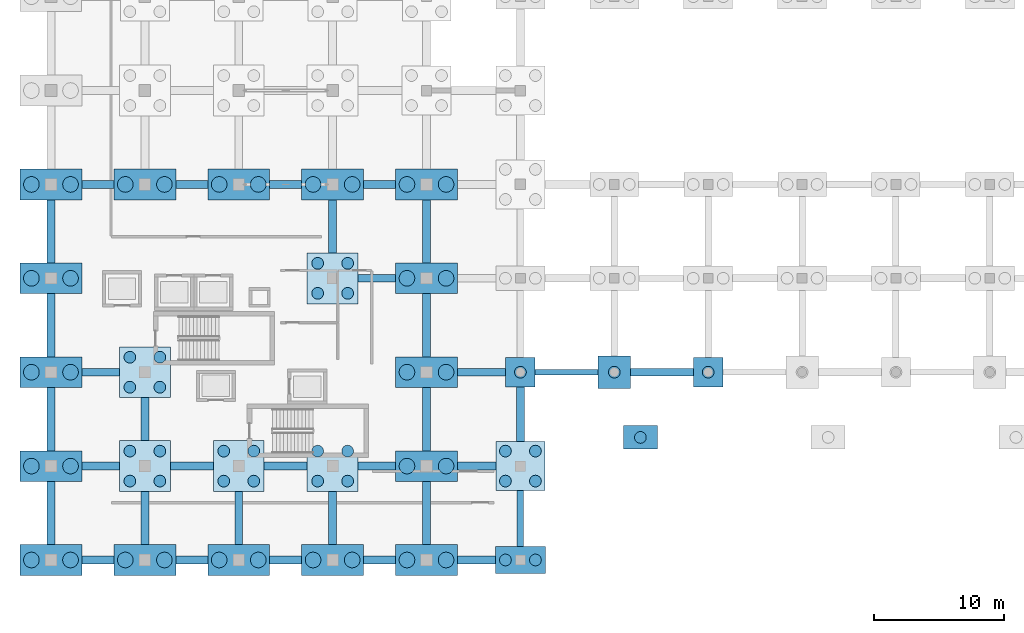
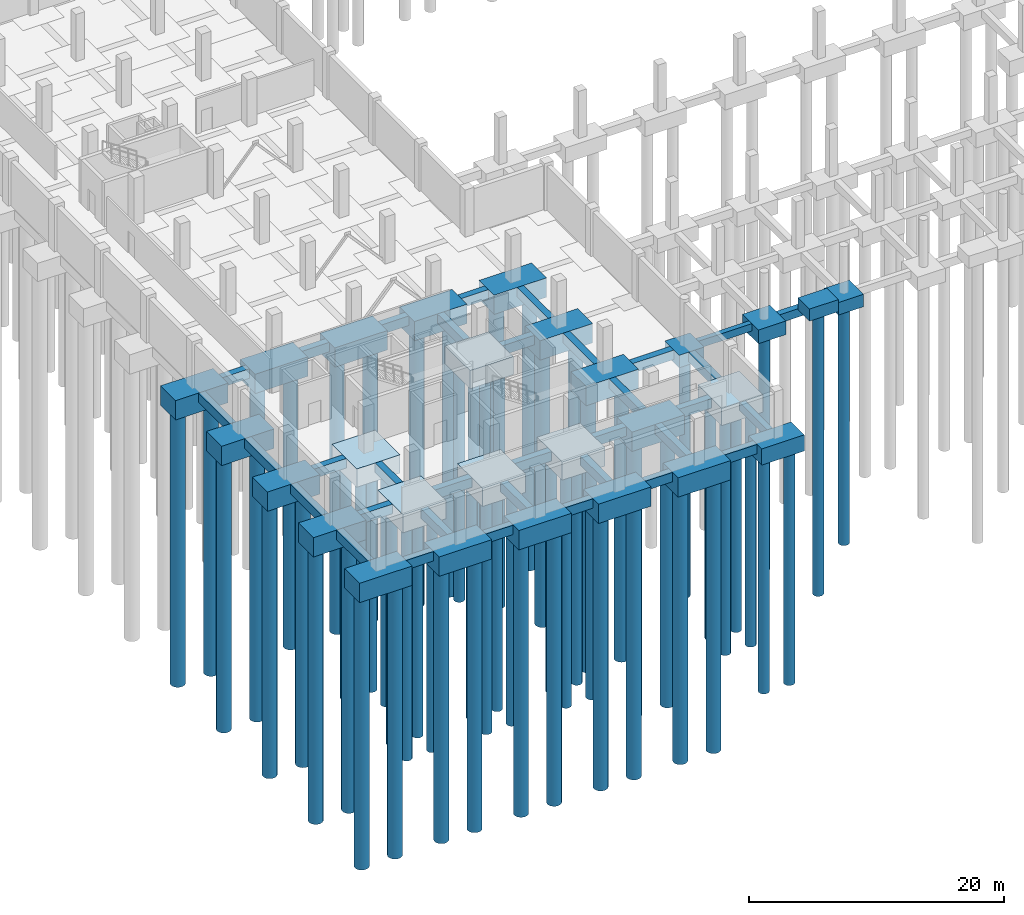
# One storey, part 1 of 36: 62 piles, 61 footings.
"""IFC4 building model written with IfcOpenShell, lengths in metres."""

import ifcopenshell
import ifcopenshell.guid

model = None  # the IFC model being written
_history = None  # IfcOwnerHistory: only IFC2X3 demands one
_inside = {}  # id of a spatial element -> (the spatial element, [elements in it])
_under = {}  # id of a project, library or spatial element -> (it, [spatial elements below it])
_declared = {}  # id of a project -> (the project, [libraries it declares])
_typed = {}  # id of a type object -> (the type object, [elements of that type])
_made_of = {}  # id of a material, layer set ... -> (it, [elements and type objects made of it])


def new_model(schema):
    """Start an empty IFC model of exactly this schema.

    Asked for "IFC4X3", IfcOpenShell would pick the latest addendum, in which some entities
    have other attributes; the version numbers below select the first issue.
    IFC2X3 requires an IfcOwnerHistory on every rooted entity: one is made here for all.
    """
    global model, _history
    if schema == "IFC4X3":
        model = ifcopenshell.file(schema_version=(4, 3, 0, 0))
    else:
        model = ifcopenshell.file(schema=schema)
    _inside.clear()
    _under.clear()
    _declared.clear()
    _typed.clear()
    _made_of.clear()
    _history = None
    if model.schema == "IFC2X3":
        org = make("IfcOrganization", Name="unknown")
        user = make(
            "IfcPersonAndOrganization",
            ThePerson=make("IfcPerson", FamilyName="unknown"),
            TheOrganization=org,
        )
        app = make(
            "IfcApplication",
            ApplicationDeveloper=org,
            Version="unknown",
            ApplicationFullName="unknown",
            ApplicationIdentifier="unknown",
        )
        _history = make(
            "IfcOwnerHistory",
            OwningUser=user,
            OwningApplication=app,
            ChangeAction="ADDED",
            CreationDate=0,
        )
    return model


def make(cls, **values):
    """One entity of the class cls with the attributes given. An attribute that is None is left unset."""
    return model.create_entity(
        cls, **{name: value for name, value in values.items() if value is not None}
    )


def rooted(cls, **values):
    """An entity with a GlobalId (a new one), such as an element, a storey or a relation."""
    return make(cls, GlobalId=ifcopenshell.guid.new(), OwnerHistory=_history, **values)


def si_unit(unit_type, name, prefix=None):
    """IfcSIUnit, for example si_unit("LENGTHUNIT", "METRE", prefix="MILLI")."""
    return make("IfcSIUnit", UnitType=unit_type, Prefix=prefix, Name=name)


def assignment(units):
    """IfcUnitAssignment: the units of a project."""
    return None if units is None else make("IfcUnitAssignment", Units=units)


def point(xyz):
    """IfcCartesianPoint."""
    return None if xyz is None else make("IfcCartesianPoint", Coordinates=xyz)


def direction(xyz):
    """IfcDirection."""
    return None if xyz is None else make("IfcDirection", DirectionRatios=xyz)


def frame(location, z_axis=None, x_axis=None):
    """IfcAxis2Placement3D, a coordinate frame: its origin and axes. An axis left out is left unset."""
    return make(
        "IfcAxis2Placement3D",
        Location=point(location),
        Axis=direction(z_axis),
        RefDirection=direction(x_axis),
    )


def frame_2d(location, x_axis=None):
    """IfcAxis2Placement2D, a coordinate frame in the plane: its origin and x axis."""
    return make(
        "IfcAxis2Placement2D", Location=point(location), RefDirection=direction(x_axis)
    )


def origin():
    """The frame at (0, 0, 0) with its axes left unset."""
    return frame((0.0, 0.0, 0.0))


def origin_2d():
    """The frame at (0, 0) in the plane with its x axis left unset."""
    return frame_2d((0.0, 0.0))


def place(relative_to, where):
    """IfcLocalPlacement: puts the frame where relative to a parent placement (None: the world)."""
    return make(
        "IfcLocalPlacement", PlacementRelTo=relative_to, RelativePlacement=where
    )


def context(
    kind, dimensions, precision=None, world=None, true_north=None, identifier=None
):
    """IfcGeometricRepresentationContext, for example the 3D "Model" context."""
    return make(
        "IfcGeometricRepresentationContext",
        ContextIdentifier=identifier,
        ContextType=kind,
        CoordinateSpaceDimension=dimensions,
        Precision=precision,
        WorldCoordinateSystem=world,
        TrueNorth=true_north,
    )


def subcontext(parent, identifier, kind, view, scale=None):
    """IfcGeometricRepresentationSubContext, for example "Body" below "Model"."""
    return make(
        "IfcGeometricRepresentationSubContext",
        ContextIdentifier=identifier,
        ContextType=kind,
        ParentContext=parent,
        TargetScale=scale,
        TargetView=view,
    )


def project(units=None, contexts=None):
    """IfcProject with its units and contexts."""
    return rooted(
        "IfcProject",
        Name="project",
        RepresentationContexts=contexts,
        UnitsInContext=assignment(units),
    )


def spatial(cls, under=None, at=None, **own):
    """A site, building, storey or space (cls), placed at a placement, below another one or the project."""
    s = rooted(cls, ObjectPlacement=at, **own)
    if under is not None:
        _under.setdefault(under.id(), (under, []))[1].append(s)
    return s


def profile(cls, at=None, kind="AREA", **sizes):
    """A parametric profile (cls). Its sizes go by their IFC names, for example OverallWidth=200.0."""
    return make(cls, ProfileType=kind, Position=at, **sizes)


def rectangle(**sizes):
    """IfcRectangleProfileDef."""
    return profile("IfcRectangleProfileDef", **sizes)


def circle(**sizes):
    """IfcCircleProfileDef."""
    return profile("IfcCircleProfileDef", **sizes)


def extrude(swept, where, along, depth):
    """IfcExtrudedAreaSolid: the profile swept, set in the frame where, extruded along a direction by depth."""
    return make(
        "IfcExtrudedAreaSolid",
        SweptArea=swept,
        Position=where,
        ExtrudedDirection=direction(along),
        Depth=depth,
    )


def shape(context_of_items, identifier, shape_type, items):
    """IfcShapeRepresentation: the items that make up one representation, for example the "Body"."""
    return make(
        "IfcShapeRepresentation",
        ContextOfItems=context_of_items,
        RepresentationIdentifier=identifier,
        RepresentationType=shape_type,
        Items=items,
    )


def material(Name=None, Category=None):
    """IfcMaterial."""
    return make("IfcMaterial", Name=Name, Category=Category)


def material_profile(
    of_material, cross_section, Name=None, Category=None, Priority=None
):
    """IfcMaterialProfile: a cross section and its material."""
    return make(
        "IfcMaterialProfile",
        Name=Name,
        Material=of_material,
        Profile=cross_section,
        Priority=Priority,
        Category=Category,
    )


def profile_set(profiles, Name=None, composite=None):
    """IfcMaterialProfileSet."""
    return make(
        "IfcMaterialProfileSet",
        Name=Name,
        MaterialProfiles=profiles,
        CompositeProfile=composite,
    )


def made_of(thing, what):
    """Note that an element or type object is made of a material, layer set ...; save() writes the relation."""
    if what is not None:
        _made_of.setdefault(what.id(), (what, []))[1].append(thing)
    return thing


def type_object(cls, material=None, **own):
    """A type object (cls), such as IfcWallType, which elements share."""
    return made_of(rooted(cls, **own), material)


def element(
    cls,
    number,
    at=None,
    inside=None,
    cuts=None,
    type_object=None,
    material=None,
    context=None,
    identifier="Body",
    shape_type=None,
    held_by="IfcProductDefinitionShape",
    body=None,
    shapes=None,
    **own,
):
    """One element of the class cls, such as IfcWall. Its Tag is "e" and its number.

    at: its placement. inside: the storey or other place that contains it. cuts: it is an
    opening in that element (IfcRelVoidsElement). A single representation is given by context,
    identifier, shape_type and body (its items); several are given by shapes. held_by: the class
    of the entity that holds the representations. save() writes the other relations.
    """
    e = rooted(cls, Tag="e%d" % number, ObjectPlacement=at, **own)
    if body is not None:
        shapes = [shape(context, identifier, shape_type, body)]
    if shapes is not None:
        e.Representation = make(held_by, Representations=shapes)
    if inside is not None:
        _inside.setdefault(inside.id(), (inside, []))[1].append(e)
    if cuts is not None:
        rooted(
            "IfcRelVoidsElement", RelatingBuildingElement=cuts, RelatedOpeningElement=e
        )
    if type_object is not None:
        _typed.setdefault(type_object.id(), (type_object, []))[1].append(e)
    return made_of(e, material)


def aggregate(whole, parts):
    """IfcRelAggregates: a whole, such as a stair, and the parts it consists of."""
    return rooted("IfcRelAggregates", RelatingObject=whole, RelatedObjects=parts)


def save(model, path):
    """Write the relations noted so far, then the file.

    IfcRelAggregates (storeys below a building ...), IfcRelContainedInSpatialStructure (elements
    in a storey), IfcRelDefinesByType, IfcRelAssociatesMaterial and IfcRelDeclares: one each for
    every whole, place, type object, material and project.
    """
    for whole, parts in _under.values():
        aggregate(whole, parts)
    for where, things in _inside.values():
        rooted(
            "IfcRelContainedInSpatialStructure",
            RelatedElements=things,
            RelatingStructure=where,
        )
    for kind, things in _typed.values():
        rooted("IfcRelDefinesByType", RelatedObjects=things, RelatingType=kind)
    for what, things in _made_of.values():
        rooted("IfcRelAssociatesMaterial", RelatedObjects=things, RelatingMaterial=what)
    for by, libraries in _declared.values():
        rooted("IfcRelDeclares", RelatingContext=by, RelatedDefinitions=libraries)
    model.write(path)


model = new_model("IFC4")

# Units and contexts
model_context = context("Model", 3, precision=1e-05, world=origin(), true_north=direction((0.0, 1.0)))
body_context = subcontext(model_context, "Body", "Model", "MODEL_VIEW")
ifc_project = project(units=[si_unit("LENGTHUNIT", "METRE"), si_unit("AREAUNIT", "SQUARE_METRE"), si_unit("VOLUMEUNIT", "CUBIC_METRE"), si_unit("PLANEANGLEUNIT", "RADIAN"), si_unit("MASSUNIT", "GRAM", prefix="KILO")], contexts=[model_context])

# Site, building, storey
site_placement = place(None, origin())
site = spatial("IfcSite", under=ifc_project, at=site_placement, CompositionType="ELEMENT")
building_placement = place(site_placement, origin())
building = spatial("IfcBuilding", under=site, at=building_placement, Name="Kalmorath City Hall", CompositionType="ELEMENT")
storey_placement = place(building_placement, frame((0.0, 0.0, -4.5)))
storey = spatial("IfcBuildingStorey", under=building, at=storey_placement, Name="B1", CompositionType="ELEMENT", Elevation=-4.5)

# Piles
ifc_material_1 = material(Name="Concrete C40/50", Category="concrete")
ifc_material_profile_1 = material_profile(ifc_material_1, circle(Radius=0.60009765625, at=origin_2d()), Name="PILE-D1200")
ifc_profile_set_1 = profile_set([ifc_material_profile_1], Name="Concrete C40/50")
pile_type_1 = type_object("IfcPileType", Name="Bored concrete pile D1200", PredefinedType="BORED", material=ifc_profile_set_1)
for number, where, z_axis, x_axis, name in (
    (1, (-1.5, 0.0, -1.75), (0.0, 0.0, -1.0), (1.0, 0.0, 0.0), "Bored pile PL-1200 1.1.1"),
    (2, (1.5, 0.0, -1.75), (0.0, 0.0, -1.0), (1.0, 0.0, 0.0), "Bored pile PL-1200 1.1.2"),
    (3, (-1.5, 7.199951171875, -1.75), (0.0, 0.0, -1.0), (1.0, 0.0, 0.0), "Bored pile PL-1200 1.2.1"),
    (4, (1.5, 7.199951171875, -1.75), (0.0, 0.0, -1.0), (1.0, 0.0, 0.0), "Bored pile PL-1200 1.2.2"),
    (5, (-1.5, 14.39990234375, -1.75), (0.0, 0.0, -1.0), (1.0, 0.0, 0.0), "Bored pile PL-1200 1.3.1"),
    (6, (1.5, 14.39990234375, -1.75), (0.0, 0.0, -1.0), (1.0, 0.0, 0.0), "Bored pile PL-1200 1.3.2"),
    (7, (-1.5, 21.60009765625, -1.75), (0.0, 0.0, -1.0), (1.0, 0.0, 0.0), "Bored pile PL-1200 1.4.1"),
    (8, (1.5, 21.60009765625, -1.75), (0.0, 0.0, -1.0), (1.0, 0.0, 0.0), "Bored pile PL-1200 1.4.2"),
    (9, (-1.5, 28.800048828125, -1.75), (0.0, 0.0, -1.0), (1.0, 0.0, 0.0), "Bored pile PL-1200 1.5.1"),
    (10, (1.5, 28.800048828125, -1.75), (0.0, 0.0, -1.0), (1.0, 0.0, 0.0), "Bored pile PL-1200 1.5.2"),
    (11, (5.699951171875, 0.0, -1.75), (0.0, 0.0, -1.0), (1.0, 0.0, 0.0), "Bored pile PL-1200 2.1.1"),
    (12, (8.699951171875, 0.0, -1.75), (0.0, 0.0, -1.0), (1.0, 0.0, 0.0), "Bored pile PL-1200 2.1.2"),
    (13, (5.699951171875, 28.800048828125, -1.75), (0.0, 0.0, -1.0), (1.0, 0.0, 0.0), "Bored pile PL-1200 2.5.1"),
    (14, (8.699951171875, 28.800048828125, -1.75), (0.0, 0.0, -1.0), (1.0, 0.0, 0.0), "Bored pile PL-1200 2.5.2"),
    (15, (12.89990234375, 0.0, -1.75), (0.0, 0.0, -1.0), (1.0, 0.0, 0.0), "Bored pile PL-1200 3.1.1"),
    (16, (15.89990234375, 0.0, -1.75), (0.0, 0.0, -1.0), (1.0, 0.0, 0.0), "Bored pile PL-1200 3.1.2"),
    (17, (12.89990234375, 28.800048828125, -1.75), (0.0, 0.0, -1.0), (1.0, 0.0, 0.0), "Bored pile PL-1200 3.5.1"),
    (18, (15.89990234375, 28.800048828125, -1.75), (0.0, 0.0, -1.0), (1.0, 0.0, 0.0), "Bored pile PL-1200 3.5.2"),
    (19, (20.10009765625, 0.0, -1.75), (0.0, 0.0, -1.0), (1.0, 0.0, 0.0), "Bored pile PL-1200 4.1.1"),
    (20, (23.10009765625, 0.0, -1.75), (0.0, 0.0, -1.0), (1.0, 0.0, 0.0), "Bored pile PL-1200 4.1.2"),
    (21, (20.10009765625, 28.800048828125, -1.75), (0.0, 0.0, -1.0), (1.0, 0.0, 0.0), "Bored pile PL-1200 4.5.1"),
    (22, (23.10009765625, 28.800048828125, -1.75), (0.0, 0.0, -1.0), (1.0, 0.0, 0.0), "Bored pile PL-1200 4.5.2"),
    (23, (27.300048828125, 0.0, -1.75), (0.0, 0.0, -1.0), (1.0, 0.0, 0.0), "Bored pile PL-1200 5.1.1"),
    (24, (30.300048828125, 0.0, -1.75), (0.0, 0.0, -1.0), (1.0, 0.0, 0.0), "Bored pile PL-1200 5.1.2"),
    (25, (27.300048828125, 7.199951171875, -1.75), (0.0, 0.0, -1.0), (1.0, 0.0, 0.0), "Bored pile PL-1200 5.2.1"),
    (26, (30.300048828125, 7.199951171875, -1.75), (0.0, 0.0, -1.0), (1.0, 0.0, 0.0), "Bored pile PL-1200 5.2.2"),
    (27, (27.300048828125, 14.39990234375, -1.75), (0.0, 0.0, -1.0), (1.0, 0.0, 0.0), "Bored pile PL-1200 5.3.1"),
    (28, (30.300048828125, 14.39990234375, -1.75), (0.0, 0.0, -1.0), (1.0, 0.0, 0.0), "Bored pile PL-1200 5.3.2"),
    (29, (27.300048828125, 21.60009765625, -1.75), (0.0, 0.0, -1.0), (1.0, 0.0, 0.0), "Bored pile PL-1200 5.4.1"),
    (30, (30.300048828125, 21.60009765625, -1.75), (0.0, 0.0, -1.0), (1.0, 0.0, 0.0), "Bored pile PL-1200 5.4.2"),
    (31, (27.300048828125, 28.800048828125, -1.75), (0.0, 0.0, -1.0), (1.0, 0.0, 0.0), "Bored pile PL-1200 5.5.1"),
    (32, (30.300048828125, 28.800048828125, -1.75), (0.0, 0.0, -1.0), (1.0, 0.0, 0.0), "Bored pile PL-1200 5.5.2"),
):
    element("IfcPile", number, at=place(storey_placement, frame(where, z_axis=z_axis, x_axis=x_axis)), inside=storey, type_object=pile_type_1, Name=name, PredefinedType="BORED", context=body_context, shape_type="SweptSolid", body=[
        extrude(circle(Radius=0.60009765625, at=origin_2d()), origin(), (0.0, 0.0, 1.0), 26.25),
    ])
ifc_material_2 = material(Name="Concrete C40/50", Category="concrete")
ifc_material_profile_2 = material_profile(ifc_material_2, circle(Radius=0.449951171875, at=origin_2d()), Name="PILE-D900")
ifc_profile_set_2 = profile_set([ifc_material_profile_2], Name="Concrete C40/50")
pile_type_2 = type_object("IfcPileType", Name="Bored concrete pile D900", PredefinedType="BORED", material=ifc_profile_set_2)
for number, where, z_axis, x_axis, name in (
    (33, (6.050048828125, 6.050048828125, -1.64990234375), (0.0, 0.0, -1.0), (1.0, 0.0, 0.0), "Bored pile PL-900 2.2.1"),
    (34, (8.35009765625, 6.050048828125, -1.64990234375), (0.0, 0.0, -1.0), (1.0, 0.0, 0.0), "Bored pile PL-900 2.2.2"),
    (35, (6.050048828125, 8.35009765625, -1.64990234375), (0.0, 0.0, -1.0), (1.0, 0.0, 0.0), "Bored pile PL-900 2.2.3"),
    (36, (8.35009765625, 8.35009765625, -1.64990234375), (0.0, 0.0, -1.0), (1.0, 0.0, 0.0), "Bored pile PL-900 2.2.4"),
    (37, (6.050048828125, 13.25, -1.64990234375), (0.0, 0.0, -1.0), (1.0, 0.0, 0.0), "Bored pile PL-900 2.3.1"),
    (38, (8.35009765625, 13.25, -1.64990234375), (0.0, 0.0, -1.0), (1.0, 0.0, 0.0), "Bored pile PL-900 2.3.2"),
    (39, (6.050048828125, 15.550048828125, -1.64990234375), (0.0, 0.0, -1.0), (1.0, 0.0, 0.0), "Bored pile PL-900 2.3.3"),
    (40, (8.35009765625, 15.550048828125, -1.64990234375), (0.0, 0.0, -1.0), (1.0, 0.0, 0.0), "Bored pile PL-900 2.3.4"),
    (41, (13.25, 6.050048828125, -1.64990234375), (0.0, 0.0, -1.0), (1.0, 0.0, 0.0), "Bored pile PL-900 3.2.1"),
    (42, (15.550048828125, 6.050048828125, -1.64990234375), (0.0, 0.0, -1.0), (1.0, 0.0, 0.0), "Bored pile PL-900 3.2.2"),
    (43, (13.25, 8.35009765625, -1.64990234375), (0.0, 0.0, -1.0), (1.0, 0.0, 0.0), "Bored pile PL-900 3.2.3"),
    (44, (15.550048828125, 8.35009765625, -1.64990234375), (0.0, 0.0, -1.0), (1.0, 0.0, 0.0), "Bored pile PL-900 3.2.4"),
    (45, (20.449951171875, 6.050048828125, -1.64990234375), (0.0, 0.0, -1.0), (1.0, 0.0, 0.0), "Bored pile PL-900 4.2.1"),
    (46, (22.75, 6.050048828125, -1.64990234375), (0.0, 0.0, -1.0), (1.0, 0.0, 0.0), "Bored pile PL-900 4.2.2"),
    (47, (20.449951171875, 8.35009765625, -1.64990234375), (0.0, 0.0, -1.0), (1.0, 0.0, 0.0), "Bored pile PL-900 4.2.3"),
    (48, (22.75, 8.35009765625, -1.64990234375), (0.0, 0.0, -1.0), (1.0, 0.0, 0.0), "Bored pile PL-900 4.2.4"),
    (49, (20.449951171875, 20.449951171875, -1.64990234375), (0.0, 0.0, -1.0), (1.0, 0.0, 0.0), "Bored pile PL-900 4.4.1"),
    (50, (22.75, 20.449951171875, -1.64990234375), (0.0, 0.0, -1.0), (1.0, 0.0, 0.0), "Bored pile PL-900 4.4.2"),
    (51, (20.449951171875, 22.75, -1.64990234375), (0.0, 0.0, -1.0), (1.0, 0.0, 0.0), "Bored pile PL-900 4.4.3"),
    (52, (22.75, 22.75, -1.64990234375), (0.0, 0.0, -1.0), (1.0, 0.0, 0.0), "Bored pile PL-900 4.4.4"),
):
    element("IfcPile", number, at=place(storey_placement, frame(where, z_axis=z_axis, x_axis=x_axis)), inside=storey, type_object=pile_type_2, Name=name, PredefinedType="BORED", context=body_context, shape_type="SweptSolid", body=[
        extrude(circle(Radius=0.449951171875, at=origin_2d()), origin(), (0.0, 0.0, 1.0), 22.35009765625),
    ])
for number, where, z_axis, x_axis, name in (
    (53, (34.85009765625, 0.0, -1.449951171875), (0.0, 0.0, -1.0), (1.0, 0.0, 0.0), "Bored pile PL-900 6.1.1"),
    (54, (37.14990234375, 0.0, -1.449951171875), (0.0, 0.0, -1.0), (1.0, 0.0, 0.0), "Bored pile PL-900 6.1.2"),
):
    element("IfcPile", number, at=place(storey_placement, frame(where, z_axis=z_axis, x_axis=x_axis)), inside=storey, type_object=pile_type_2, Name=name, PredefinedType="BORED", context=body_context, shape_type="SweptSolid", body=[
        extrude(circle(Radius=0.449951171875, at=origin_2d()), origin(), (0.0, 0.0, 1.0), 22.550048828125),
    ])
for number, where, z_axis, x_axis, name in (
    (55, (34.85009765625, 6.050048828125, -1.550048828125), (0.0, 0.0, -1.0), (1.0, 0.0, 0.0), "Bored pile PL-900 6.2.1"),
    (56, (37.14990234375, 6.050048828125, -1.550048828125), (0.0, 0.0, -1.0), (1.0, 0.0, 0.0), "Bored pile PL-900 6.2.2"),
    (57, (34.85009765625, 8.35009765625, -1.550048828125), (0.0, 0.0, -1.0), (1.0, 0.0, 0.0), "Bored pile PL-900 6.2.3"),
    (58, (37.14990234375, 8.35009765625, -1.550048828125), (0.0, 0.0, -1.0), (1.0, 0.0, 0.0), "Bored pile PL-900 6.2.4"),
):
    element("IfcPile", number, at=place(storey_placement, frame(where, z_axis=z_axis, x_axis=x_axis)), inside=storey, type_object=pile_type_2, Name=name, PredefinedType="BORED", context=body_context, shape_type="SweptSolid", body=[
        extrude(circle(Radius=0.449951171875, at=origin_2d()), origin(), (0.0, 0.0, 1.0), 22.449951171875),
    ])
pile_1_placement = place(storey_placement, frame((36.0, 14.39990234375, -1.10009765625), z_axis=(0.0, 0.0, -1.0), x_axis=(1.0, 0.0, 0.0)))
element("IfcPile", 59, at=pile_1_placement, inside=storey, type_object=pile_type_2, Name="Bored pile PL-900 6.3.1", PredefinedType="BORED", context=body_context, shape_type="SweptSolid", body=[
    extrude(circle(Radius=0.449951171875, at=origin_2d()), origin(), (0.0, 0.0, 1.0), 22.89990234375),
])
pile_2_placement = place(storey_placement, frame((43.199951171875, 14.39990234375, -1.199951171875), z_axis=(0.0, 0.0, -1.0), x_axis=(1.0, 0.0, 0.0)))
element("IfcPile", 60, at=pile_2_placement, inside=storey, type_object=pile_type_2, Name="Bored pile PL-900 7.3.1", PredefinedType="BORED", context=body_context, shape_type="SweptSolid", body=[
    extrude(circle(Radius=0.449951171875, at=origin_2d()), origin(), (0.0, 0.0, 1.0), 22.800048828125),
])
pile_3_placement = place(storey_placement, frame((50.39990234375, 14.39990234375, -1.10009765625), z_axis=(0.0, 0.0, -1.0), x_axis=(1.0, 0.0, 0.0)))
element("IfcPile", 61, at=pile_3_placement, inside=storey, type_object=pile_type_2, Name="Bored pile PL-900 8.3.1", PredefinedType="BORED", context=body_context, shape_type="SweptSolid", body=[
    extrude(circle(Radius=0.449951171875, at=origin_2d()), origin(), (0.0, 0.0, 1.0), 22.89990234375),
])
pile_4_placement = place(storey_placement, frame((45.199951171875, 9.39990234375, 3.10009765625), z_axis=(0.0, 0.0, -1.0), x_axis=(1.0, 0.0, 0.0)))
element("IfcPile", 62, at=pile_4_placement, inside=storey, type_object=pile_type_2, Name="Entrance ramp bored pile PL-900-1", PredefinedType="BORED", context=body_context, shape_type="SweptSolid", body=[
    extrude(circle(Radius=0.449951171875, at=origin_2d()), origin(), (0.0, 0.0, 1.0), 27.10009765625),
])

# Footings
ifc_material_3 = material(Name="Concrete C40/50", Category="concrete")
ifc_material_profile_3 = material_profile(ifc_material_3, rectangle(XDim=0.449951171875, YDim=0.699951171875, at=origin_2d()), Name="RC-BM-450X700")
ifc_profile_set_3 = profile_set([ifc_material_profile_3], Name="Concrete C40/50")
footing_type_1 = type_object("IfcFootingType", Name="Concrete ground tie beam 450x700", PredefinedType="FOOTING_BEAM", material=ifc_profile_set_3)
footing_1_placement = place(storey_placement, frame((37.125, 14.39990234375, -0.35009765625), z_axis=(1.0, 0.0, 0.0), x_axis=(0.0, 1.0, 0.0)))
element("IfcFooting", 63, at=footing_1_placement, inside=storey, type_object=footing_type_1, Name="Ground tie beam GB4 X6-3", PredefinedType="FOOTING_BEAM", context=body_context, shape_type="SweptSolid", body=[
    extrude(rectangle(XDim=0.449951171875, YDim=0.699951171875, at=origin_2d()), origin(), (0.0, 0.0, 1.0), 4.824951171875),
])
ifc_material_4 = material(Name="Concrete C40/50", Category="concrete")
ifc_material_profile_4 = material_profile(ifc_material_4, rectangle(XDim=0.5, YDim=0.75, at=origin_2d()), Name="RC-BM-500X750")
ifc_profile_set_4 = profile_set([ifc_material_profile_4], Name="Concrete C40/50")
footing_type_2 = type_object("IfcFootingType", Name="Concrete ground tie beam 500x750", PredefinedType="FOOTING_BEAM", material=ifc_profile_set_4)
footing_2_placement = place(storey_placement, frame((36.0, 1.02490234375, -0.375), z_axis=(0.0, 1.0, 0.0), x_axis=(-1.0, 0.0, 0.0)))
element("IfcFooting", 64, at=footing_2_placement, inside=storey, type_object=footing_type_2, Name="Ground tie beam GB3 Y6-1", PredefinedType="FOOTING_BEAM", context=body_context, shape_type="SweptSolid", body=[
    extrude(rectangle(XDim=0.5, YDim=0.75, at=origin_2d()), origin(), (0.0, 0.0, 1.0), 4.300048828125),
])
ifc_material_5 = material(Name="Concrete C40/50", Category="concrete")
ifc_material_profile_5 = material_profile(ifc_material_5, rectangle(XDim=0.550048828125, YDim=0.800048828125, at=origin_2d()), Name="RC-BM-550X800")
ifc_profile_set_5 = profile_set([ifc_material_profile_5], Name="Concrete C40/50")
footing_type_3 = type_object("IfcFootingType", Name="Concrete ground tie beam 550x800", PredefinedType="FOOTING_BEAM", material=ifc_profile_set_5)
footing_3_placement = place(storey_placement, frame((44.449951171875, 14.39990234375, -0.39990234375), z_axis=(1.0, 0.0, 0.0), x_axis=(0.0, 1.0, 0.0)))
element("IfcFooting", 65, at=footing_3_placement, inside=storey, type_object=footing_type_3, Name="Ground tie beam GB2 X7-3", PredefinedType="FOOTING_BEAM", context=body_context, shape_type="SweptSolid", body=[
    extrude(rectangle(XDim=0.550048828125, YDim=0.800048828125, at=origin_2d()), origin(), (0.0, 0.0, 1.0), 4.824951171875),
])
ifc_material_6 = material(Name="Concrete C40/50", Category="concrete")
ifc_material_profile_6 = material_profile(ifc_material_6, rectangle(XDim=0.60009765625, YDim=0.89990234375, at=origin_2d()), Name="RC-BM-600X900")
ifc_profile_set_6 = profile_set([ifc_material_profile_6], Name="Concrete C40/50")
footing_type_4 = type_object("IfcFootingType", Name="Concrete ground tie beam 600x900", PredefinedType="FOOTING_BEAM", material=ifc_profile_set_6)
footing_4_placement = place(storey_placement, frame((2.375, 0.0, -0.449951171875), z_axis=(1.0, 0.0, 0.0), x_axis=(0.0, 1.0, 0.0)))
element("IfcFooting", 66, at=footing_4_placement, inside=storey, type_object=footing_type_4, Name="Ground tie beam GB1 X1-1", PredefinedType="FOOTING_BEAM", context=body_context, shape_type="SweptSolid", body=[
    extrude(rectangle(XDim=0.60009765625, YDim=0.89990234375, at=origin_2d()), origin(), (0.0, 0.0, 1.0), 2.449951171875),
])
footing_5_placement = place(storey_placement, frame((0.0, 1.175048828125, -0.449951171875), z_axis=(0.0, 1.0, 0.0), x_axis=(-1.0, 0.0, 0.0)))
element("IfcFooting", 67, at=footing_5_placement, inside=storey, type_object=footing_type_4, Name="Ground tie beam GB1 Y1-1", PredefinedType="FOOTING_BEAM", context=body_context, shape_type="SweptSolid", body=[
    extrude(rectangle(XDim=0.60009765625, YDim=0.89990234375, at=origin_2d()), origin(), (0.0, 0.0, 1.0), 4.849853515625),
])
footing_6_placement = place(storey_placement, frame((2.375, 7.199951171875, -0.449951171875), z_axis=(1.0, 0.0, 0.0), x_axis=(0.0, 1.0, 0.0)))
element("IfcFooting", 68, at=footing_6_placement, inside=storey, type_object=footing_type_4, Name="Ground tie beam GB1 X1-2", PredefinedType="FOOTING_BEAM", context=body_context, shape_type="SweptSolid", body=[
    extrude(rectangle(XDim=0.60009765625, YDim=0.89990234375, at=origin_2d()), origin(), (0.0, 0.0, 1.0), 2.875),
])
footing_7_placement = place(storey_placement, frame((0.0, 8.375, -0.449951171875), z_axis=(0.0, 1.0, 0.0), x_axis=(-1.0, 0.0, 0.0)))
element("IfcFooting", 69, at=footing_7_placement, inside=storey, type_object=footing_type_4, Name="Ground tie beam GB1 Y1-2", PredefinedType="FOOTING_BEAM", context=body_context, shape_type="SweptSolid", body=[
    extrude(rectangle(XDim=0.60009765625, YDim=0.89990234375, at=origin_2d()), origin(), (0.0, 0.0, 1.0), 4.85009765625),
])
footing_8_placement = place(storey_placement, frame((2.375, 14.39990234375, -0.449951171875), z_axis=(1.0, 0.0, 0.0), x_axis=(0.0, 1.0, 0.0)))
element("IfcFooting", 70, at=footing_8_placement, inside=storey, type_object=footing_type_4, Name="Ground tie beam GB1 X1-3", PredefinedType="FOOTING_BEAM", context=body_context, shape_type="SweptSolid", body=[
    extrude(rectangle(XDim=0.60009765625, YDim=0.89990234375, at=origin_2d()), origin(), (0.0, 0.0, 1.0), 2.875),
])
for number, where, z_axis, x_axis, name in (
    (71, (0.0, 15.574951171875, -0.449951171875), (0.0, 1.0, 0.0), (-1.0, 0.0, 0.0), "Ground tie beam GB1 Y1-3"),
    (72, (0.0, 22.77490234375, -0.449951171875), (0.0, 1.0, 0.0), (-1.0, 0.0, 0.0), "Ground tie beam GB1 Y1-4"),
):
    element("IfcFooting", number, at=place(storey_placement, frame(where, z_axis=z_axis, x_axis=x_axis)), inside=storey, type_object=footing_type_4, Name=name, PredefinedType="FOOTING_BEAM", context=body_context, shape_type="SweptSolid", body=[
        extrude(rectangle(XDim=0.60009765625, YDim=0.89990234375, at=origin_2d()), origin(), (0.0, 0.0, 1.0), 4.85009765625),
    ])
for number, where, z_axis, x_axis, name in (
    (73, (2.375, 28.800048828125, -0.449951171875), (1.0, 0.0, 0.0), (0.0, 1.0, 0.0), "Ground tie beam GB1 X1-5"),
    (74, (9.574951171875, 0.0, -0.449951171875), (1.0, 0.0, 0.0), (0.0, 1.0, 0.0), "Ground tie beam GB1 X2-1"),
):
    element("IfcFooting", number, at=place(storey_placement, frame(where, z_axis=z_axis, x_axis=x_axis)), inside=storey, type_object=footing_type_4, Name=name, PredefinedType="FOOTING_BEAM", context=body_context, shape_type="SweptSolid", body=[
        extrude(rectangle(XDim=0.60009765625, YDim=0.89990234375, at=origin_2d()), origin(), (0.0, 0.0, 1.0), 2.449951171875),
    ])
footing_9_placement = place(storey_placement, frame((7.199951171875, 1.175048828125, -0.449951171875), z_axis=(0.0, 1.0, 0.0), x_axis=(-1.0, 0.0, 0.0)))
element("IfcFooting", 75, at=footing_9_placement, inside=storey, type_object=footing_type_4, Name="Ground tie beam GB1 Y2-1", PredefinedType="FOOTING_BEAM", context=body_context, shape_type="SweptSolid", body=[
    extrude(rectangle(XDim=0.60009765625, YDim=0.89990234375, at=origin_2d()), origin(), (0.0, 0.0, 1.0), 4.074951171875),
])
for number, where, z_axis, x_axis, name in (
    (76, (9.14990234375, 7.199951171875, -0.449951171875), (1.0, 0.0, 0.0), (0.0, 1.0, 0.0), "Ground tie beam GB1 X2-2"),
    (77, (7.199951171875, 9.14990234375, -0.449951171875), (0.0, 1.0, 0.0), (-1.0, 0.0, 0.0), "Ground tie beam GB1 Y2-2"),
):
    element("IfcFooting", number, at=place(storey_placement, frame(where, z_axis=z_axis, x_axis=x_axis)), inside=storey, type_object=footing_type_4, Name=name, PredefinedType="FOOTING_BEAM", context=body_context, shape_type="SweptSolid", body=[
        extrude(rectangle(XDim=0.60009765625, YDim=0.89990234375, at=origin_2d()), origin(), (0.0, 0.0, 1.0), 3.300048828125),
    ])
footing_10_placement = place(storey_placement, frame((9.574951171875, 28.800048828125, -0.449951171875), z_axis=(1.0, 0.0, 0.0), x_axis=(0.0, 1.0, 0.0)))
element("IfcFooting", 78, at=footing_10_placement, inside=storey, type_object=footing_type_4, Name="Ground tie beam GB1 X2-5", PredefinedType="FOOTING_BEAM", context=body_context, shape_type="SweptSolid", body=[
    extrude(rectangle(XDim=0.60009765625, YDim=0.89990234375, at=origin_2d()), origin(), (0.0, 0.0, 1.0), 2.449951171875),
])
footing_11_placement = place(storey_placement, frame((16.77490234375, 0.0, -0.449951171875), z_axis=(1.0, 0.0, 0.0), x_axis=(0.0, 1.0, 0.0)))
element("IfcFooting", 79, at=footing_11_placement, inside=storey, type_object=footing_type_4, Name="Ground tie beam GB1 X3-1", PredefinedType="FOOTING_BEAM", context=body_context, shape_type="SweptSolid", body=[
    extrude(rectangle(XDim=0.60009765625, YDim=0.89990234375, at=origin_2d()), origin(), (0.0, 0.0, 1.0), 2.4501953125),
])
footing_12_placement = place(storey_placement, frame((14.39990234375, 1.175048828125, -0.449951171875), z_axis=(0.0, 1.0, 0.0), x_axis=(-1.0, 0.0, 0.0)))
element("IfcFooting", 80, at=footing_12_placement, inside=storey, type_object=footing_type_4, Name="Ground tie beam GB1 Y3-1", PredefinedType="FOOTING_BEAM", context=body_context, shape_type="SweptSolid", body=[
    extrude(rectangle(XDim=0.60009765625, YDim=0.89990234375, at=origin_2d()), origin(), (0.0, 0.0, 1.0), 4.074951171875),
])
footing_13_placement = place(storey_placement, frame((16.35009765625, 7.199951171875, -0.449951171875), z_axis=(1.0, 0.0, 0.0), x_axis=(0.0, 1.0, 0.0)))
element("IfcFooting", 81, at=footing_13_placement, inside=storey, type_object=footing_type_4, Name="Ground tie beam GB1 X3-2", PredefinedType="FOOTING_BEAM", context=body_context, shape_type="SweptSolid", body=[
    extrude(rectangle(XDim=0.60009765625, YDim=0.89990234375, at=origin_2d()), origin(), (0.0, 0.0, 1.0), 3.2998046875),
])
footing_14_placement = place(storey_placement, frame((16.77490234375, 28.800048828125, -0.449951171875), z_axis=(1.0, 0.0, 0.0), x_axis=(0.0, 1.0, 0.0)))
element("IfcFooting", 82, at=footing_14_placement, inside=storey, type_object=footing_type_4, Name="Ground tie beam GB1 X3-5", PredefinedType="FOOTING_BEAM", context=body_context, shape_type="SweptSolid", body=[
    extrude(rectangle(XDim=0.60009765625, YDim=0.89990234375, at=origin_2d()), origin(), (0.0, 0.0, 1.0), 2.4501953125),
])
footing_15_placement = place(storey_placement, frame((23.97509765625, 0.0, -0.449951171875), z_axis=(1.0, 0.0, 0.0), x_axis=(0.0, 1.0, 0.0)))
element("IfcFooting", 83, at=footing_15_placement, inside=storey, type_object=footing_type_4, Name="Ground tie beam GB1 X4-1", PredefinedType="FOOTING_BEAM", context=body_context, shape_type="SweptSolid", body=[
    extrude(rectangle(XDim=0.60009765625, YDim=0.89990234375, at=origin_2d()), origin(), (0.0, 0.0, 1.0), 2.449951171875),
])
footing_16_placement = place(storey_placement, frame((21.60009765625, 1.175048828125, -0.449951171875), z_axis=(0.0, 1.0, 0.0), x_axis=(-1.0, 0.0, 0.0)))
element("IfcFooting", 84, at=footing_16_placement, inside=storey, type_object=footing_type_4, Name="Ground tie beam GB1 Y4-1", PredefinedType="FOOTING_BEAM", context=body_context, shape_type="SweptSolid", body=[
    extrude(rectangle(XDim=0.60009765625, YDim=0.89990234375, at=origin_2d()), origin(), (0.0, 0.0, 1.0), 4.074951171875),
])
for number, where, z_axis, x_axis, name in (
    (85, (23.550048828125, 7.199951171875, -0.449951171875), (1.0, 0.0, 0.0), (0.0, 1.0, 0.0), "Ground tie beam GB1 X4-2"),
    (86, (23.550048828125, 21.60009765625, -0.449951171875), (1.0, 0.0, 0.0), (0.0, 1.0, 0.0), "Ground tie beam GB1 X4-4"),
):
    element("IfcFooting", number, at=place(storey_placement, frame(where, z_axis=z_axis, x_axis=x_axis)), inside=storey, type_object=footing_type_4, Name=name, PredefinedType="FOOTING_BEAM", context=body_context, shape_type="SweptSolid", body=[
        extrude(rectangle(XDim=0.60009765625, YDim=0.89990234375, at=origin_2d()), origin(), (0.0, 0.0, 1.0), 2.875),
    ])
footing_17_placement = place(storey_placement, frame((21.60009765625, 23.550048828125, -0.449951171875), z_axis=(0.0, 1.0, 0.0), x_axis=(-1.0, 0.0, 0.0)))
element("IfcFooting", 87, at=footing_17_placement, inside=storey, type_object=footing_type_4, Name="Ground tie beam GB1 Y4-4", PredefinedType="FOOTING_BEAM", context=body_context, shape_type="SweptSolid", body=[
    extrude(rectangle(XDim=0.60009765625, YDim=0.89990234375, at=origin_2d()), origin(), (0.0, 0.0, 1.0), 4.074951171875),
])
footing_18_placement = place(storey_placement, frame((23.97509765625, 28.800048828125, -0.449951171875), z_axis=(1.0, 0.0, 0.0), x_axis=(0.0, 1.0, 0.0)))
element("IfcFooting", 88, at=footing_18_placement, inside=storey, type_object=footing_type_4, Name="Ground tie beam GB1 X4-5", PredefinedType="FOOTING_BEAM", context=body_context, shape_type="SweptSolid", body=[
    extrude(rectangle(XDim=0.60009765625, YDim=0.89990234375, at=origin_2d()), origin(), (0.0, 0.0, 1.0), 2.449951171875),
])
footing_19_placement = place(storey_placement, frame((31.175048828125, 0.0, -0.449951171875), z_axis=(1.0, 0.0, 0.0), x_axis=(0.0, 1.0, 0.0)))
element("IfcFooting", 89, at=footing_19_placement, inside=storey, type_object=footing_type_4, Name="Ground tie beam GB1 X5-1", PredefinedType="FOOTING_BEAM", context=body_context, shape_type="SweptSolid", body=[
    extrude(rectangle(XDim=0.60009765625, YDim=0.89990234375, at=origin_2d()), origin(), (0.0, 0.0, 1.0), 2.89990234375),
])
footing_20_placement = place(storey_placement, frame((28.800048828125, 1.175048828125, -0.449951171875), z_axis=(0.0, 1.0, 0.0), x_axis=(-1.0, 0.0, 0.0)))
element("IfcFooting", 90, at=footing_20_placement, inside=storey, type_object=footing_type_4, Name="Ground tie beam GB1 Y5-1", PredefinedType="FOOTING_BEAM", context=body_context, shape_type="SweptSolid", body=[
    extrude(rectangle(XDim=0.60009765625, YDim=0.89990234375, at=origin_2d()), origin(), (0.0, 0.0, 1.0), 4.849853515625),
])
footing_21_placement = place(storey_placement, frame((31.175048828125, 7.199951171875, -0.449951171875), z_axis=(1.0, 0.0, 0.0), x_axis=(0.0, 1.0, 0.0)))
element("IfcFooting", 91, at=footing_21_placement, inside=storey, type_object=footing_type_4, Name="Ground tie beam GB1 X5-2", PredefinedType="FOOTING_BEAM", context=body_context, shape_type="SweptSolid", body=[
    extrude(rectangle(XDim=0.60009765625, YDim=0.89990234375, at=origin_2d()), origin(), (0.0, 0.0, 1.0), 2.949951171875),
])
footing_22_placement = place(storey_placement, frame((28.800048828125, 8.375, -0.449951171875), z_axis=(0.0, 1.0, 0.0), x_axis=(-1.0, 0.0, 0.0)))
element("IfcFooting", 92, at=footing_22_placement, inside=storey, type_object=footing_type_4, Name="Ground tie beam GB1 Y5-2", PredefinedType="FOOTING_BEAM", context=body_context, shape_type="SweptSolid", body=[
    extrude(rectangle(XDim=0.60009765625, YDim=0.89990234375, at=origin_2d()), origin(), (0.0, 0.0, 1.0), 4.85009765625),
])
footing_23_placement = place(storey_placement, frame((31.175048828125, 14.39990234375, -0.449951171875), z_axis=(1.0, 0.0, 0.0), x_axis=(0.0, 1.0, 0.0)))
element("IfcFooting", 93, at=footing_23_placement, inside=storey, type_object=footing_type_4, Name="Ground tie beam GB1 X5-3", PredefinedType="FOOTING_BEAM", context=body_context, shape_type="SweptSolid", body=[
    extrude(rectangle(XDim=0.60009765625, YDim=0.89990234375, at=origin_2d()), origin(), (0.0, 0.0, 1.0), 3.699951171875),
])
for number, where, z_axis, x_axis, name in (
    (94, (28.800048828125, 15.574951171875, -0.449951171875), (0.0, 1.0, 0.0), (-1.0, 0.0, 0.0), "Ground tie beam GB1 Y5-3"),
    (95, (28.800048828125, 22.77490234375, -0.449951171875), (0.0, 1.0, 0.0), (-1.0, 0.0, 0.0), "Ground tie beam GB1 Y5-4"),
):
    element("IfcFooting", number, at=place(storey_placement, frame(where, z_axis=z_axis, x_axis=x_axis)), inside=storey, type_object=footing_type_4, Name=name, PredefinedType="FOOTING_BEAM", context=body_context, shape_type="SweptSolid", body=[
        extrude(rectangle(XDim=0.60009765625, YDim=0.89990234375, at=origin_2d()), origin(), (0.0, 0.0, 1.0), 4.85009765625),
    ])
footing_24_placement = place(storey_placement, frame((36.0, 9.074951171875, -0.449951171875), z_axis=(0.0, 1.0, 0.0), x_axis=(-1.0, 0.0, 0.0)))
element("IfcFooting", 96, at=footing_24_placement, inside=storey, type_object=footing_type_4, Name="Ground tie beam GB1 Y6-2", PredefinedType="FOOTING_BEAM", context=body_context, shape_type="SweptSolid", body=[
    extrude(rectangle(XDim=0.60009765625, YDim=0.89990234375, at=origin_2d()), origin(), (0.0, 0.0, 1.0), 4.199951171875),
])
ifc_material_7 = material(Name="Concrete C40/50", Category="concrete")
footing_type_5 = type_object("IfcFootingType", Name="Four-pile concrete cap 3750x3750x1650", PredefinedType="PILE_CAP", material=ifc_material_7)
footing_25_placement = place(storey_placement, frame((36.0, 7.199951171875, -1.64990234375), z_axis=(0.0, 0.0, 1.0), x_axis=(1.0, 0.0, 0.0)))
element("IfcFooting", 97, at=footing_25_placement, inside=storey, type_object=footing_type_5, Name="Footing PC2 (6/2)", PredefinedType="PILE_CAP", context=body_context, shape_type="SweptSolid", body=[
    extrude(rectangle(XDim=3.75, YDim=3.75, at=origin_2d()), origin(), (0.0, 0.0, 1.0), 1.64990234375),
])
ifc_material_8 = material(Name="Concrete C40/50", Category="concrete")
footing_type_6 = type_object("IfcFootingType", Name="Four-pile concrete cap 3900x3900x1750", PredefinedType="PILE_CAP", material=ifc_material_8)
for number, where, z_axis, x_axis, name in (
    (98, (7.199951171875, 7.199951171875, -1.75), (0.0, 0.0, 1.0), (1.0, 0.0, 0.0), "Footing PC1 (2/2)"),
    (99, (7.199951171875, 14.39990234375, -1.75), (0.0, 0.0, 1.0), (1.0, 0.0, 0.0), "Footing PC1 (2/3)"),
    (100, (14.39990234375, 7.199951171875, -1.75), (0.0, 0.0, 1.0), (1.0, 0.0, 0.0), "Footing PC1 (3/2)"),
    (101, (21.60009765625, 7.199951171875, -1.75), (0.0, 0.0, 1.0), (1.0, 0.0, 0.0), "Footing PC1 (4/2)"),
    (102, (21.60009765625, 21.60009765625, -1.75), (0.0, 0.0, 1.0), (1.0, 0.0, 0.0), "Footing PC1 (4/4)"),
):
    element("IfcFooting", number, at=place(storey_placement, frame(where, z_axis=z_axis, x_axis=x_axis)), inside=storey, type_object=footing_type_6, Name=name, PredefinedType="PILE_CAP", context=body_context, shape_type="SweptSolid", body=[
        extrude(rectangle(XDim=3.89990234375, YDim=3.89990234375, at=origin_2d()), origin(), (0.0, 0.0, 1.0), 1.75),
    ])
ifc_material_9 = material(Name="Concrete C40/50", Category="concrete")
footing_type_7 = type_object("IfcFootingType", Name="Reinforced concrete pad footing 2250x2250x1200", PredefinedType="PAD_FOOTING", material=ifc_material_9)
for number, where, z_axis, x_axis, name in (
    (103, (36.0, 14.39990234375, -1.2001953125), (0.0, 0.0, 1.0), (1.0, 0.0, 0.0), "Footing PF2 (6/3)"),
    (104, (50.39990234375, 14.39990234375, -1.2001953125), (0.0, 0.0, 1.0), (1.0, 0.0, 0.0), "Footing PF2 (8/3)"),
):
    element("IfcFooting", number, at=place(storey_placement, frame(where, z_axis=z_axis, x_axis=x_axis)), inside=storey, type_object=footing_type_7, Name=name, PredefinedType="PAD_FOOTING", context=body_context, shape_type="SweptSolid", body=[
        extrude(rectangle(XDim=2.25, YDim=2.25, at=origin_2d()), origin(), (0.0, 0.0, 1.0), 1.199951171875),
    ])
ifc_material_10 = material(Name="Concrete C40/50", Category="concrete")
footing_type_8 = type_object("IfcFootingType", Name="Reinforced concrete pad footing 2500x2500x1300", PredefinedType="PAD_FOOTING", material=ifc_material_10)
footing_26_placement = place(storey_placement, frame((43.199951171875, 14.39990234375, -1.2998046875), z_axis=(0.0, 0.0, 1.0), x_axis=(1.0, 0.0, 0.0)))
element("IfcFooting", 105, at=footing_26_placement, inside=storey, type_object=footing_type_8, Name="Footing PF1 (7/3)", PredefinedType="PAD_FOOTING", context=body_context, shape_type="SweptSolid", body=[
    extrude(rectangle(XDim=2.5, YDim=2.5, at=origin_2d()), origin(), (0.0, 0.0, 1.0), 1.300048828125),
])
ifc_material_11 = material(Name="Concrete C40/50", Category="concrete")
footing_type_9 = type_object("IfcFootingType", Name="Reinforced concrete ramp pad footing 2600x1800x1150", PredefinedType="PAD_FOOTING", material=ifc_material_11)
footing_27_placement = place(storey_placement, frame((45.199951171875, 9.39990234375, 3.0), z_axis=(0.0, 0.0, 1.0), x_axis=(1.0, 0.0, 0.0)))
element("IfcFooting", 106, at=footing_27_placement, inside=storey, type_object=footing_type_9, Name="Entrance ramp bottom pad footing PF3-1", PredefinedType="PAD_FOOTING", context=body_context, shape_type="SweptSolid", body=[
    extrude(rectangle(XDim=2.60009765625, YDim=1.800048828125, at=origin_2d()), origin(), (0.0, 0.0, 1.0), 1.14990234375),
])
ifc_material_12 = material(Name="Concrete C40/50", Category="concrete")
footing_type_10 = type_object("IfcFootingType", Name="Two-pile concrete cap 3850x2050x1550", PredefinedType="PILE_CAP", material=ifc_material_12)
footing_28_placement = place(storey_placement, frame((36.0, 0.0, -1.5498046875), z_axis=(0.0, 0.0, 1.0), x_axis=(1.0, 0.0, 0.0)))
element("IfcFooting", 107, at=footing_28_placement, inside=storey, type_object=footing_type_10, Name="Footing PC6 (6/1)", PredefinedType="PILE_CAP", context=body_context, shape_type="SweptSolid", body=[
    extrude(rectangle(XDim=3.85009765625, YDim=2.050048828125, at=origin_2d()), origin(), (0.0, 0.0, 1.0), 1.550048828125),
])
ifc_material_13 = material(Name="Concrete C40/50", Category="concrete")
footing_type_11 = type_object("IfcFootingType", Name="Two-pile heavy concrete cap 4750x2350x1850", PredefinedType="PILE_CAP", material=ifc_material_13)
for number, where, z_axis, x_axis, name in (
    (108, (0.0, 0.0, -1.85009765625), (0.0, 0.0, 1.0), (1.0, 0.0, 0.0), "Footing PC4 (1/1)"),
    (109, (0.0, 7.199951171875, -1.85009765625), (0.0, 0.0, 1.0), (1.0, 0.0, 0.0), "Footing PC4 (1/2)"),
    (110, (0.0, 14.39990234375, -1.85009765625), (0.0, 0.0, 1.0), (1.0, 0.0, 0.0), "Footing PC4 (1/3)"),
    (111, (0.0, 21.60009765625, -1.85009765625), (0.0, 0.0, 1.0), (1.0, 0.0, 0.0), "Footing PC4 (1/4)"),
    (112, (0.0, 28.800048828125, -1.85009765625), (0.0, 0.0, 1.0), (1.0, 0.0, 0.0), "Footing PC4 (1/5)"),
    (113, (7.199951171875, 0.0, -1.85009765625), (0.0, 0.0, 1.0), (1.0, 0.0, 0.0), "Footing PC4 (2/1)"),
    (114, (7.199951171875, 28.800048828125, -1.85009765625), (0.0, 0.0, 1.0), (1.0, 0.0, 0.0), "Footing PC4 (2/5)"),
    (115, (14.39990234375, 0.0, -1.85009765625), (0.0, 0.0, 1.0), (1.0, 0.0, 0.0), "Footing PC4 (3/1)"),
    (116, (14.39990234375, 28.800048828125, -1.85009765625), (0.0, 0.0, 1.0), (1.0, 0.0, 0.0), "Footing PC4 (3/5)"),
    (117, (21.60009765625, 0.0, -1.85009765625), (0.0, 0.0, 1.0), (1.0, 0.0, 0.0), "Footing PC4 (4/1)"),
    (118, (21.60009765625, 28.800048828125, -1.85009765625), (0.0, 0.0, 1.0), (1.0, 0.0, 0.0), "Footing PC4 (4/5)"),
    (119, (28.800048828125, 0.0, -1.85009765625), (0.0, 0.0, 1.0), (1.0, 0.0, 0.0), "Footing PC4 (5/1)"),
    (120, (28.800048828125, 7.199951171875, -1.85009765625), (0.0, 0.0, 1.0), (1.0, 0.0, 0.0), "Footing PC4 (5/2)"),
    (121, (28.800048828125, 14.39990234375, -1.85009765625), (0.0, 0.0, 1.0), (1.0, 0.0, 0.0), "Footing PC4 (5/3)"),
    (122, (28.800048828125, 21.60009765625, -1.85009765625), (0.0, 0.0, 1.0), (1.0, 0.0, 0.0), "Footing PC4 (5/4)"),
    (123, (28.800048828125, 28.800048828125, -1.85009765625), (0.0, 0.0, 1.0), (1.0, 0.0, 0.0), "Footing PC4 (5/5)"),
):
    element("IfcFooting", number, at=place(storey_placement, frame(where, z_axis=z_axis, x_axis=x_axis)), inside=storey, type_object=footing_type_11, Name=name, PredefinedType="PILE_CAP", context=body_context, shape_type="SweptSolid", body=[
        extrude(rectangle(XDim=4.75, YDim=2.35009765625, at=origin_2d()), origin(), (0.0, 0.0, 1.0), 1.85009765625),
    ])

save(model, "model.ifc")
